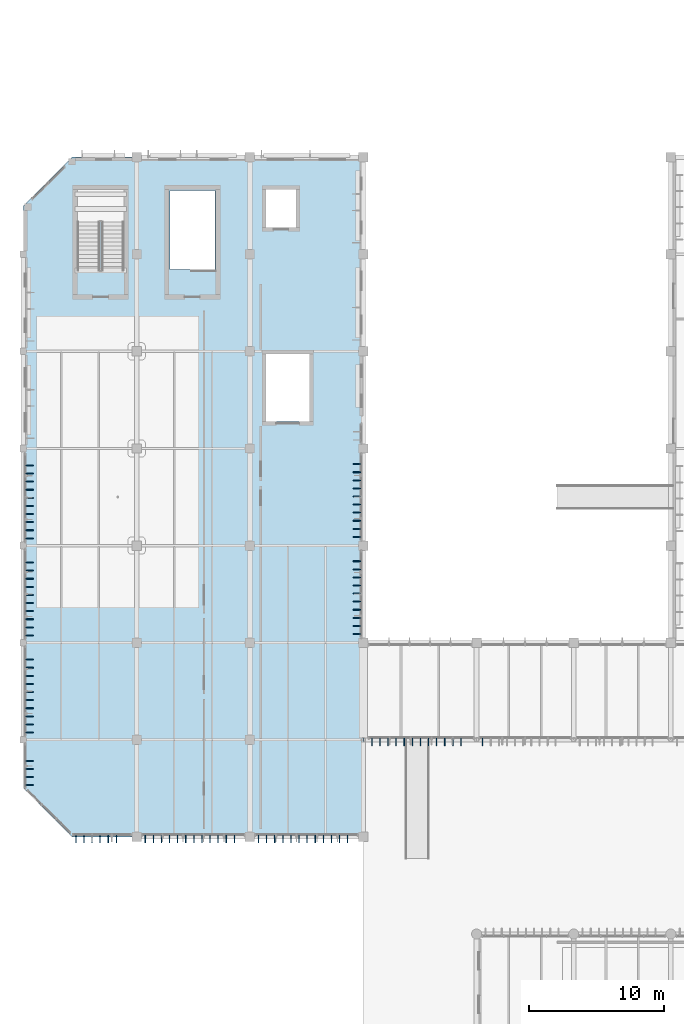
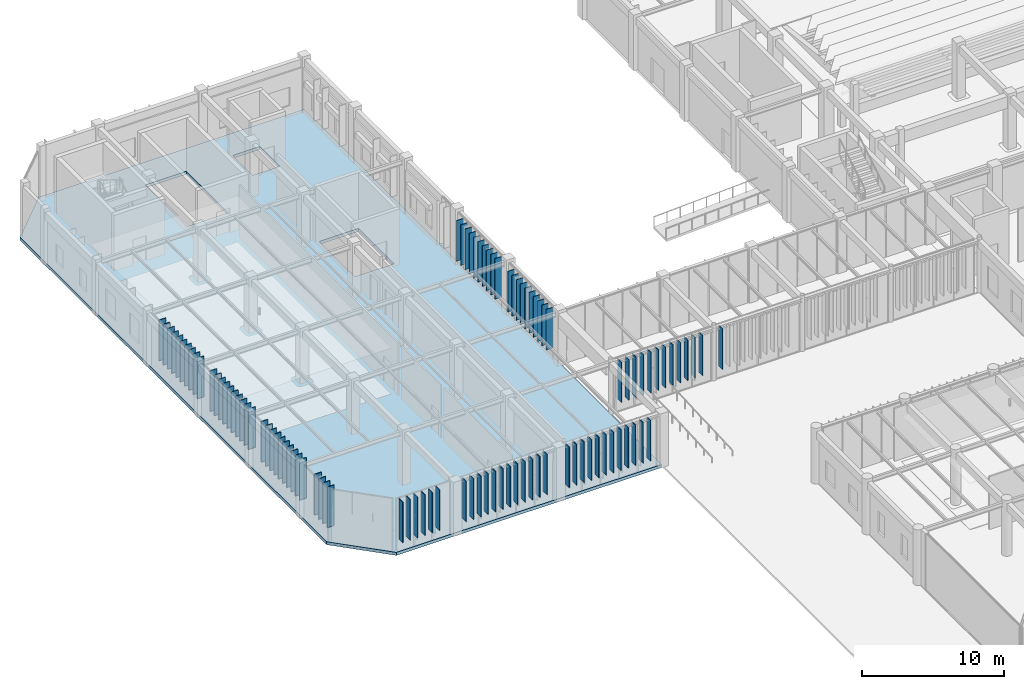
# One storey, part 16 of 122: 97 plates, 1 slab.
"""IFC4 building model written with IfcOpenShell, lengths in metres."""

from ifc_helpers import new_model, si_unit, direction, frame, origin, origin_2d, place, context, subcontext, project, spatial, polyline, rectangle, outline, extrude, material, layer, layer_set, type_object, element, save


model = new_model("IFC4")

# Units and contexts
model_context = context("Model", 3, precision=1e-05, world=origin(), true_north=direction((0.0, 1.0)))
body_context = subcontext(model_context, "Body", "Model", "MODEL_VIEW")
ifc_project = project(units=[si_unit("LENGTHUNIT", "METRE"), si_unit("AREAUNIT", "SQUARE_METRE"), si_unit("VOLUMEUNIT", "CUBIC_METRE"), si_unit("PLANEANGLEUNIT", "RADIAN"), si_unit("MASSUNIT", "GRAM", prefix="KILO")], contexts=[model_context])

# Site, building, storey
site_placement = place(None, origin())
site = spatial("IfcSite", under=ifc_project, at=site_placement, CompositionType="ELEMENT")
building_placement = place(site_placement, origin())
building = spatial("IfcBuilding", under=site, at=building_placement, Name="Tazoul Stagehouse", CompositionType="ELEMENT")
storey_placement = place(building_placement, origin())
storey = spatial("IfcBuildingStorey", under=building, at=storey_placement, Name="L00", CompositionType="ELEMENT", Elevation=0.0)

# Slab
ifc_material_1 = material(Name="Concrete C35/45", Category="concrete")
ifc_layer_1 = layer(ifc_material_1, 0.260009765625, Name="Concrete C35/45")
ifc_layer_set_1 = layer_set([ifc_layer_1], Name="Concrete C35/45")
slab_type = type_object("IfcSlabType", Name="Crescent Foyer Slab 260", PredefinedType="FLOOR", material=ifc_layer_set_1)
slab_placement = place(storey_placement, frame((0.0, 0.0, -0.260009765625)))
element("IfcSlab", 1, at=slab_placement, inside=storey, type_object=slab_type, Name="L00 Crescent Foyer Slab 260 (V6)", PredefinedType="FLOOR", context=body_context, shape_type="SweptSolid", body=[
    extrude(outline(polyline([(6.0, 37.39990234375), (2.39990234375, 41.0), (2.39990234375, 84.199951171875), (6.0, 87.800048828125), (27.60009765625, 87.800048828125), (27.60009765625, 37.39990234375), (6.0, 37.39990234375)]), holes=[polyline([(20.39990234375, 68.199951171875), (20.39990234375, 73.199951171875), (23.60009765625, 73.199951171875), (23.60009765625, 68.199951171875), (20.39990234375, 68.199951171875)]), polyline([(13.260009765625, 79.4599609375), (13.260009765625, 85.340087890625), (16.590087890625, 85.340087890625), (16.590087890625, 79.4599609375), (13.260009765625, 79.4599609375)]), polyline([(20.39990234375, 82.60009765625), (20.39990234375, 85.39990234375), (22.60009765625, 85.39990234375), (22.60009765625, 82.60009765625), (20.39990234375, 82.60009765625)])]), origin(), (0.0, 0.0, 1.0), 0.260009765625),
])

# Plates
ifc_material_2 = material(Name="Anodised Bronze Aluminium 6063-T6", Category="aluminium")
ifc_layer_2 = layer(ifc_material_2, 0.550048828125, Name="Anodised Bronze Aluminium 6063-T6")
ifc_layer_set_2 = layer_set([ifc_layer_2], Name="Anodised Bronze Aluminium 6063-T6")
plate_type = type_object("IfcPlateType", Name="Parametric Terracotta-Bronze Solar Fin 550x3500", PredefinedType="USERDEFINED", material=ifc_layer_set_2)
for number, where, z_axis, x_axis, name in (
    (2, (6.2900390625, 37.235107421875, 0.989990234375), (0.0, 0.0, 1.0), (1.0, 0.0, 0.0), "L00 Parametric Solar Fin SFN-21 (CW-V6-S-L00-B1-01)"),
    (3, (6.889892578125, 37.235107421875, 0.989990234375), (0.0, 0.0, 1.0), (1.0, 0.0, 0.0), "L00 Parametric Solar Fin SFN-21 (CW-V6-S-L00-B1-02)"),
    (4, (7.489990234375, 37.235107421875, 0.989990234375), (0.0, 0.0, 1.0), (1.0, 0.0, 0.0), "L00 Parametric Solar Fin SFN-21 (CW-V6-S-L00-B1-03)"),
    (5, (8.090087890625, 37.235107421875, 0.989990234375), (0.0, 0.0, 1.0), (1.0, 0.0, 0.0), "L00 Parametric Solar Fin SFN-21 (CW-V6-S-L00-B1-04)"),
    (6, (8.68994140625, 37.235107421875, 0.989990234375), (0.0, 0.0, 1.0), (1.0, 0.0, 0.0), "L00 Parametric Solar Fin SFN-21 (CW-V6-S-L00-B1-05)"),
    (7, (9.2900390625, 37.235107421875, 0.989990234375), (0.0, 0.0, 1.0), (1.0, 0.0, 0.0), "L00 Parametric Solar Fin SFN-21 (CW-V6-S-L00-B1-06)"),
    (8, (11.43994140625, 37.235107421875, 0.989990234375), (0.0, 0.0, 1.0), (1.0, 0.0, 0.0), "L00 Parametric Solar Fin SFN-21 (CW-V6-S-L00-B2-01)"),
    (9, (12.0400390625, 37.235107421875, 0.989990234375), (0.0, 0.0, 1.0), (1.0, 0.0, 0.0), "L00 Parametric Solar Fin SFN-21 (CW-V6-S-L00-B2-02)"),
    (10, (12.639892578125, 37.235107421875, 0.989990234375), (0.0, 0.0, 1.0), (1.0, 0.0, 0.0), "L00 Parametric Solar Fin SFN-21 (CW-V6-S-L00-B2-03)"),
    (11, (13.239990234375, 37.235107421875, 0.989990234375), (0.0, 0.0, 1.0), (1.0, 0.0, 0.0), "L00 Parametric Solar Fin SFN-21 (CW-V6-S-L00-B2-04)"),
    (12, (13.840087890625, 37.235107421875, 0.989990234375), (0.0, 0.0, 1.0), (1.0, 0.0, 0.0), "L00 Parametric Solar Fin SFN-21 (CW-V6-S-L00-B2-05)"),
    (13, (14.43994140625, 37.235107421875, 0.989990234375), (0.0, 0.0, 1.0), (1.0, 0.0, 0.0), "L00 Parametric Solar Fin SFN-21 (CW-V6-S-L00-B2-06)"),
    (14, (15.0400390625, 37.235107421875, 0.989990234375), (0.0, 0.0, 1.0), (1.0, 0.0, 0.0), "L00 Parametric Solar Fin SFN-21 (CW-V6-S-L00-B2-07)"),
    (15, (15.639892578125, 37.235107421875, 0.989990234375), (0.0, 0.0, 1.0), (1.0, 0.0, 0.0), "L00 Parametric Solar Fin SFN-21 (CW-V6-S-L00-B2-08)"),
    (16, (16.239990234375, 37.235107421875, 0.989990234375), (0.0, 0.0, 1.0), (1.0, 0.0, 0.0), "L00 Parametric Solar Fin SFN-21 (CW-V6-S-L00-B2-09)"),
    (17, (16.840087890625, 37.235107421875, 0.989990234375), (0.0, 0.0, 1.0), (1.0, 0.0, 0.0), "L00 Parametric Solar Fin SFN-21 (CW-V6-S-L00-B2-10)"),
    (18, (17.43994140625, 37.235107421875, 0.989990234375), (0.0, 0.0, 1.0), (1.0, 0.0, 0.0), "L00 Parametric Solar Fin SFN-21 (CW-V6-S-L00-B2-11)"),
    (19, (18.0400390625, 37.235107421875, 0.989990234375), (0.0, 0.0, 1.0), (1.0, 0.0, 0.0), "L00 Parametric Solar Fin SFN-21 (CW-V6-S-L00-B2-12)"),
    (20, (19.840087890625, 37.235107421875, 0.989990234375), (0.0, 0.0, 1.0), (1.0, 0.0, 0.0), "L00 Parametric Solar Fin SFN-21 (CW-V6-S-L00-B3-01)"),
    (21, (20.43994140625, 37.235107421875, 0.989990234375), (0.0, 0.0, 1.0), (1.0, 0.0, 0.0), "L00 Parametric Solar Fin SFN-21 (CW-V6-S-L00-B3-02)"),
    (22, (21.0400390625, 37.235107421875, 0.989990234375), (0.0, 0.0, 1.0), (1.0, 0.0, 0.0), "L00 Parametric Solar Fin SFN-21 (CW-V6-S-L00-B3-03)"),
    (23, (21.639892578125, 37.235107421875, 0.989990234375), (0.0, 0.0, 1.0), (1.0, 0.0, 0.0), "L00 Parametric Solar Fin SFN-21 (CW-V6-S-L00-B3-04)"),
    (24, (22.239990234375, 37.235107421875, 0.989990234375), (0.0, 0.0, 1.0), (1.0, 0.0, 0.0), "L00 Parametric Solar Fin SFN-21 (CW-V6-S-L00-B3-05)"),
    (25, (22.840087890625, 37.235107421875, 0.989990234375), (0.0, 0.0, 1.0), (1.0, 0.0, 0.0), "L00 Parametric Solar Fin SFN-21 (CW-V6-S-L00-B3-06)"),
    (26, (23.43994140625, 37.235107421875, 0.989990234375), (0.0, 0.0, 1.0), (1.0, 0.0, 0.0), "L00 Parametric Solar Fin SFN-21 (CW-V6-S-L00-B3-07)"),
    (27, (24.0400390625, 37.235107421875, 0.989990234375), (0.0, 0.0, 1.0), (1.0, 0.0, 0.0), "L00 Parametric Solar Fin SFN-21 (CW-V6-S-L00-B3-08)"),
    (28, (24.639892578125, 37.235107421875, 0.989990234375), (0.0, 0.0, 1.0), (1.0, 0.0, 0.0), "L00 Parametric Solar Fin SFN-21 (CW-V6-S-L00-B3-09)"),
    (29, (25.239990234375, 37.235107421875, 0.989990234375), (0.0, 0.0, 1.0), (1.0, 0.0, 0.0), "L00 Parametric Solar Fin SFN-21 (CW-V6-S-L00-B3-10)"),
    (30, (25.840087890625, 37.235107421875, 0.989990234375), (0.0, 0.0, 1.0), (1.0, 0.0, 0.0), "L00 Parametric Solar Fin SFN-21 (CW-V6-S-L00-B3-11)"),
    (31, (26.43994140625, 37.235107421875, 0.989990234375), (0.0, 0.0, 1.0), (1.0, 0.0, 0.0), "L00 Parametric Solar Fin SFN-21 (CW-V6-S-L00-B3-12)"),
    (32, (2.864990234375, 41.239990234375, 0.989990234375), (0.0, 0.0, 1.0), (0.0, 1.0, 0.0), "L00 Parametric Solar Fin SFN-21 (CW-V6-W1-L00-B1-01)"),
    (33, (2.864990234375, 41.840087890625, 0.989990234375), (0.0, 0.0, 1.0), (0.0, 1.0, 0.0), "L00 Parametric Solar Fin SFN-21 (CW-V6-W1-L00-B1-02)"),
    (34, (2.864990234375, 42.43994140625, 0.989990234375), (0.0, 0.0, 1.0), (0.0, 1.0, 0.0), "L00 Parametric Solar Fin SFN-21 (CW-V6-W1-L00-B1-03)"),
    (35, (2.864990234375, 43.0400390625, 0.989990234375), (0.0, 0.0, 1.0), (0.0, 1.0, 0.0), "L00 Parametric Solar Fin SFN-21 (CW-V6-W1-L00-B1-04)"),
    (36, (2.864990234375, 45.139892578125, 0.989990234375), (0.0, 0.0, 1.0), (0.0, 1.0, 0.0), "L00 Parametric Solar Fin SFN-21 (CW-V6-W1-L00-B2-01)"),
    (37, (2.864990234375, 45.739990234375, 0.989990234375), (0.0, 0.0, 1.0), (0.0, 1.0, 0.0), "L00 Parametric Solar Fin SFN-21 (CW-V6-W1-L00-B2-02)"),
    (38, (2.864990234375, 46.340087890625, 0.989990234375), (0.0, 0.0, 1.0), (0.0, 1.0, 0.0), "L00 Parametric Solar Fin SFN-21 (CW-V6-W1-L00-B2-03)"),
    (39, (2.864990234375, 46.93994140625, 0.989990234375), (0.0, 0.0, 1.0), (0.0, 1.0, 0.0), "L00 Parametric Solar Fin SFN-21 (CW-V6-W1-L00-B2-04)"),
    (40, (2.864990234375, 47.5400390625, 0.989990234375), (0.0, 0.0, 1.0), (0.0, 1.0, 0.0), "L00 Parametric Solar Fin SFN-21 (CW-V6-W1-L00-B2-05)"),
    (41, (2.864990234375, 48.139892578125, 0.989990234375), (0.0, 0.0, 1.0), (0.0, 1.0, 0.0), "L00 Parametric Solar Fin SFN-21 (CW-V6-W1-L00-B2-06)"),
    (42, (2.864990234375, 48.739990234375, 0.989990234375), (0.0, 0.0, 1.0), (0.0, 1.0, 0.0), "L00 Parametric Solar Fin SFN-21 (CW-V6-W1-L00-B2-07)"),
    (43, (2.864990234375, 49.340087890625, 0.989990234375), (0.0, 0.0, 1.0), (0.0, 1.0, 0.0), "L00 Parametric Solar Fin SFN-21 (CW-V6-W1-L00-B2-08)"),
    (44, (2.864990234375, 49.93994140625, 0.989990234375), (0.0, 0.0, 1.0), (0.0, 1.0, 0.0), "L00 Parametric Solar Fin SFN-21 (CW-V6-W1-L00-B2-09)"),
    (45, (2.864990234375, 50.5400390625, 0.989990234375), (0.0, 0.0, 1.0), (0.0, 1.0, 0.0), "L00 Parametric Solar Fin SFN-21 (CW-V6-W1-L00-B2-10)"),
    (46, (2.864990234375, 52.340087890625, 0.989990234375), (0.0, 0.0, 1.0), (0.0, 1.0, 0.0), "L00 Parametric Solar Fin SFN-21 (CW-V6-W1-L00-B3-01)"),
    (47, (2.864990234375, 52.93994140625, 0.989990234375), (0.0, 0.0, 1.0), (0.0, 1.0, 0.0), "L00 Parametric Solar Fin SFN-21 (CW-V6-W1-L00-B3-02)"),
    (48, (2.864990234375, 53.5400390625, 0.989990234375), (0.0, 0.0, 1.0), (0.0, 1.0, 0.0), "L00 Parametric Solar Fin SFN-21 (CW-V6-W1-L00-B3-03)"),
    (49, (2.864990234375, 54.139892578125, 0.989990234375), (0.0, 0.0, 1.0), (0.0, 1.0, 0.0), "L00 Parametric Solar Fin SFN-21 (CW-V6-W1-L00-B3-04)"),
    (50, (2.864990234375, 54.739990234375, 0.989990234375), (0.0, 0.0, 1.0), (0.0, 1.0, 0.0), "L00 Parametric Solar Fin SFN-21 (CW-V6-W1-L00-B3-05)"),
    (51, (2.864990234375, 55.340087890625, 0.989990234375), (0.0, 0.0, 1.0), (0.0, 1.0, 0.0), "L00 Parametric Solar Fin SFN-21 (CW-V6-W1-L00-B3-06)"),
    (52, (2.864990234375, 55.93994140625, 0.989990234375), (0.0, 0.0, 1.0), (0.0, 1.0, 0.0), "L00 Parametric Solar Fin SFN-21 (CW-V6-W1-L00-B3-07)"),
    (53, (2.864990234375, 56.5400390625, 0.989990234375), (0.0, 0.0, 1.0), (0.0, 1.0, 0.0), "L00 Parametric Solar Fin SFN-21 (CW-V6-W1-L00-B3-08)"),
    (54, (2.864990234375, 57.139892578125, 0.989990234375), (0.0, 0.0, 1.0), (0.0, 1.0, 0.0), "L00 Parametric Solar Fin SFN-21 (CW-V6-W1-L00-B3-09)"),
    (55, (2.864990234375, 57.739990234375, 0.989990234375), (0.0, 0.0, 1.0), (0.0, 1.0, 0.0), "L00 Parametric Solar Fin SFN-21 (CW-V6-W1-L00-B3-10)"),
    (56, (2.864990234375, 59.5400390625, 0.989990234375), (0.0, 0.0, 1.0), (0.0, 1.0, 0.0), "L00 Parametric Solar Fin SFN-21 (CW-V6-W1-L00-B4-01)"),
    (57, (2.864990234375, 60.139892578125, 0.989990234375), (0.0, 0.0, 1.0), (0.0, 1.0, 0.0), "L00 Parametric Solar Fin SFN-21 (CW-V6-W1-L00-B4-02)"),
    (58, (2.864990234375, 60.739990234375, 0.989990234375), (0.0, 0.0, 1.0), (0.0, 1.0, 0.0), "L00 Parametric Solar Fin SFN-21 (CW-V6-W1-L00-B4-03)"),
    (59, (2.864990234375, 61.340087890625, 0.989990234375), (0.0, 0.0, 1.0), (0.0, 1.0, 0.0), "L00 Parametric Solar Fin SFN-21 (CW-V6-W1-L00-B4-04)"),
    (60, (2.864990234375, 61.93994140625, 0.989990234375), (0.0, 0.0, 1.0), (0.0, 1.0, 0.0), "L00 Parametric Solar Fin SFN-21 (CW-V6-W1-L00-B4-05)"),
    (61, (2.864990234375, 62.5400390625, 0.989990234375), (0.0, 0.0, 1.0), (0.0, 1.0, 0.0), "L00 Parametric Solar Fin SFN-21 (CW-V6-W1-L00-B4-06)"),
    (62, (2.864990234375, 63.139892578125, 0.989990234375), (0.0, 0.0, 1.0), (0.0, 1.0, 0.0), "L00 Parametric Solar Fin SFN-21 (CW-V6-W1-L00-B4-07)"),
    (63, (2.864990234375, 63.739990234375, 0.989990234375), (0.0, 0.0, 1.0), (0.0, 1.0, 0.0), "L00 Parametric Solar Fin SFN-21 (CW-V6-W1-L00-B4-08)"),
    (64, (2.864990234375, 64.340087890625, 0.989990234375), (0.0, 0.0, 1.0), (0.0, 1.0, 0.0), "L00 Parametric Solar Fin SFN-21 (CW-V6-W1-L00-B4-09)"),
    (65, (2.864990234375, 64.93994140625, 0.989990234375), (0.0, 0.0, 1.0), (0.0, 1.0, 0.0), "L00 Parametric Solar Fin SFN-21 (CW-V6-W1-L00-B4-10)"),
    (66, (27.135009765625, 52.43994140625, 0.989990234375), (0.0, 0.0, 1.0), (0.0, 1.0, 0.0), "L00 Parametric Solar Fin SFN-21 (CW-V6-E1-L00-B1-01)"),
    (67, (27.135009765625, 53.0400390625, 0.989990234375), (0.0, 0.0, 1.0), (0.0, 1.0, 0.0), "L00 Parametric Solar Fin SFN-21 (CW-V6-E1-L00-B1-02)"),
    (68, (27.135009765625, 53.639892578125, 0.989990234375), (0.0, 0.0, 1.0), (0.0, 1.0, 0.0), "L00 Parametric Solar Fin SFN-21 (CW-V6-E1-L00-B1-03)"),
    (69, (27.135009765625, 54.239990234375, 0.989990234375), (0.0, 0.0, 1.0), (0.0, 1.0, 0.0), "L00 Parametric Solar Fin SFN-21 (CW-V6-E1-L00-B1-04)"),
    (70, (27.135009765625, 54.840087890625, 0.989990234375), (0.0, 0.0, 1.0), (0.0, 1.0, 0.0), "L00 Parametric Solar Fin SFN-21 (CW-V6-E1-L00-B1-05)"),
    (71, (27.135009765625, 55.43994140625, 0.989990234375), (0.0, 0.0, 1.0), (0.0, 1.0, 0.0), "L00 Parametric Solar Fin SFN-21 (CW-V6-E1-L00-B1-06)"),
    (72, (27.135009765625, 56.0400390625, 0.989990234375), (0.0, 0.0, 1.0), (0.0, 1.0, 0.0), "L00 Parametric Solar Fin SFN-21 (CW-V6-E1-L00-B1-07)"),
    (73, (27.135009765625, 56.639892578125, 0.989990234375), (0.0, 0.0, 1.0), (0.0, 1.0, 0.0), "L00 Parametric Solar Fin SFN-21 (CW-V6-E1-L00-B1-08)"),
    (74, (27.135009765625, 57.239990234375, 0.989990234375), (0.0, 0.0, 1.0), (0.0, 1.0, 0.0), "L00 Parametric Solar Fin SFN-21 (CW-V6-E1-L00-B1-09)"),
    (75, (27.135009765625, 57.840087890625, 0.989990234375), (0.0, 0.0, 1.0), (0.0, 1.0, 0.0), "L00 Parametric Solar Fin SFN-21 (CW-V6-E1-L00-B1-10)"),
    (76, (27.135009765625, 59.639892578125, 0.989990234375), (0.0, 0.0, 1.0), (0.0, 1.0, 0.0), "L00 Parametric Solar Fin SFN-21 (CW-V6-E1-L00-B2-01)"),
    (77, (27.135009765625, 60.239990234375, 0.989990234375), (0.0, 0.0, 1.0), (0.0, 1.0, 0.0), "L00 Parametric Solar Fin SFN-21 (CW-V6-E1-L00-B2-02)"),
    (78, (27.135009765625, 60.840087890625, 0.989990234375), (0.0, 0.0, 1.0), (0.0, 1.0, 0.0), "L00 Parametric Solar Fin SFN-21 (CW-V6-E1-L00-B2-03)"),
    (79, (27.135009765625, 61.43994140625, 0.989990234375), (0.0, 0.0, 1.0), (0.0, 1.0, 0.0), "L00 Parametric Solar Fin SFN-21 (CW-V6-E1-L00-B2-04)"),
    (80, (27.135009765625, 62.0400390625, 0.989990234375), (0.0, 0.0, 1.0), (0.0, 1.0, 0.0), "L00 Parametric Solar Fin SFN-21 (CW-V6-E1-L00-B2-05)"),
    (81, (27.135009765625, 62.639892578125, 0.989990234375), (0.0, 0.0, 1.0), (0.0, 1.0, 0.0), "L00 Parametric Solar Fin SFN-21 (CW-V6-E1-L00-B2-06)"),
    (82, (27.135009765625, 63.239990234375, 0.989990234375), (0.0, 0.0, 1.0), (0.0, 1.0, 0.0), "L00 Parametric Solar Fin SFN-21 (CW-V6-E1-L00-B2-07)"),
    (83, (27.135009765625, 63.840087890625, 0.989990234375), (0.0, 0.0, 1.0), (0.0, 1.0, 0.0), "L00 Parametric Solar Fin SFN-21 (CW-V6-E1-L00-B2-08)"),
    (84, (27.135009765625, 64.43994140625, 0.989990234375), (0.0, 0.0, 1.0), (0.0, 1.0, 0.0), "L00 Parametric Solar Fin SFN-21 (CW-V6-E1-L00-B2-09)"),
    (85, (27.135009765625, 65.0400390625, 0.989990234375), (0.0, 0.0, 1.0), (0.0, 1.0, 0.0), "L00 Parametric Solar Fin SFN-21 (CW-V6-E1-L00-B2-10)"),
    (86, (28.239990234375, 44.43505859375, 0.989990234375), (0.0, 0.0, 1.0), (1.0, 0.0, 0.0), "L00 Parametric Solar Fin SFN-21 (CW-WLNK-S-L00-B1-01)"),
    (87, (28.840087890625, 44.43505859375, 0.989990234375), (0.0, 0.0, 1.0), (1.0, 0.0, 0.0), "L00 Parametric Solar Fin SFN-21 (CW-WLNK-S-L00-B1-02)"),
    (88, (29.43994140625, 44.43505859375, 0.989990234375), (0.0, 0.0, 1.0), (1.0, 0.0, 0.0), "L00 Parametric Solar Fin SFN-21 (CW-WLNK-S-L00-B1-03)"),
    (89, (30.0400390625, 44.43505859375, 0.989990234375), (0.0, 0.0, 1.0), (1.0, 0.0, 0.0), "L00 Parametric Solar Fin SFN-21 (CW-WLNK-S-L00-B1-04)"),
    (90, (30.639892578125, 44.43505859375, 0.989990234375), (0.0, 0.0, 1.0), (1.0, 0.0, 0.0), "L00 Parametric Solar Fin SFN-21 (CW-WLNK-S-L00-B1-05)"),
    (91, (31.239990234375, 44.43505859375, 0.989990234375), (0.0, 0.0, 1.0), (1.0, 0.0, 0.0), "L00 Parametric Solar Fin SFN-21 (CW-WLNK-S-L00-B1-06)"),
    (92, (31.840087890625, 44.43505859375, 0.989990234375), (0.0, 0.0, 1.0), (1.0, 0.0, 0.0), "L00 Parametric Solar Fin SFN-21 (CW-WLNK-S-L00-B1-07)"),
    (93, (32.43994140625, 44.43505859375, 0.989990234375), (0.0, 0.0, 1.0), (1.0, 0.0, 0.0), "L00 Parametric Solar Fin SFN-21 (CW-WLNK-S-L00-B1-08)"),
    (94, (33.0400390625, 44.43505859375, 0.989990234375), (0.0, 0.0, 1.0), (1.0, 0.0, 0.0), "L00 Parametric Solar Fin SFN-21 (CW-WLNK-S-L00-B1-09)"),
    (95, (33.639892578125, 44.43505859375, 0.989990234375), (0.0, 0.0, 1.0), (1.0, 0.0, 0.0), "L00 Parametric Solar Fin SFN-21 (CW-WLNK-S-L00-B1-10)"),
    (96, (34.239990234375, 44.43505859375, 0.989990234375), (0.0, 0.0, 1.0), (1.0, 0.0, 0.0), "L00 Parametric Solar Fin SFN-21 (CW-WLNK-S-L00-B1-11)"),
    (97, (34.840087890625, 44.43505859375, 0.989990234375), (0.0, 0.0, 1.0), (1.0, 0.0, 0.0), "L00 Parametric Solar Fin SFN-21 (CW-WLNK-S-L00-B1-12)"),
    (98, (36.451904296875, 44.43505859375, 0.989990234375), (0.0, 0.0, 1.0), (1.0, 0.0, 0.0), "L00 Parametric Solar Fin SFN-21 (CW-WLNK-S-L00-B2-01)"),
):
    element("IfcPlate", number, at=place(storey_placement, frame(where, z_axis=z_axis, x_axis=x_axis)), inside=storey, type_object=plate_type, Name=name, ObjectType="SOLAR FIN", PredefinedType="USERDEFINED", context=body_context, shape_type="SweptSolid", body=[
        extrude(rectangle(XDim=0.044921875, YDim=0.550048828125, at=origin_2d()), origin(), (0.0, 0.0, 1.0), 3.5),
    ])

save(model, "model.ifc")
